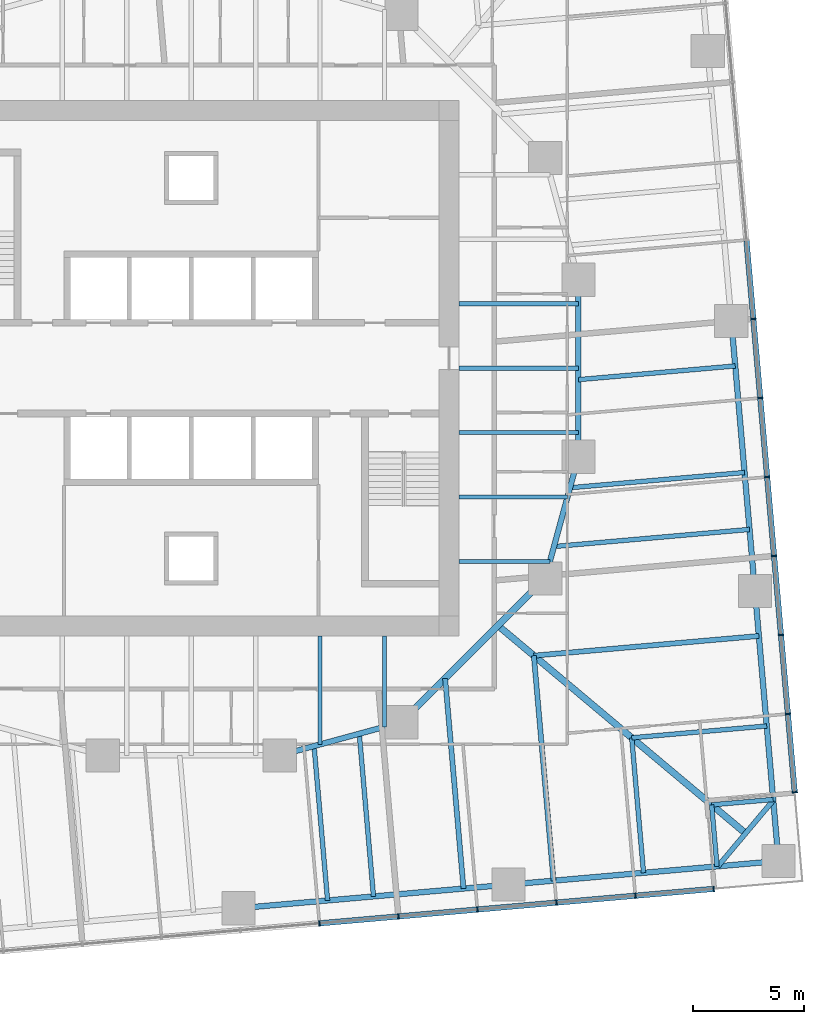
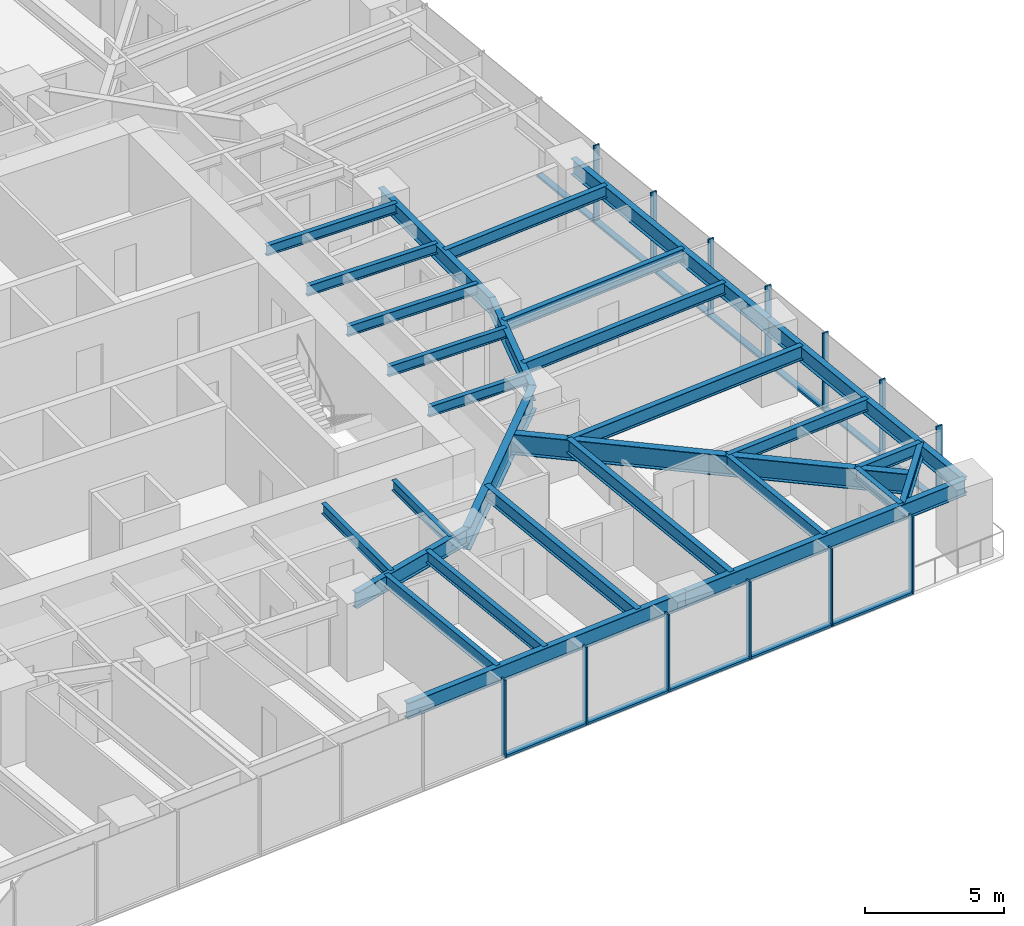
# One storey, part 4 of 14: 29 beams, 25 members, 2 elements without a shape of their own.
"""IFC4 building model written with IfcOpenShell, lengths in metres."""

from ifc_helpers import new_model, si_unit, direction, frame, origin, origin_2d, place, context, subcontext, project, spatial, rectangle, i_section, extrude, material, material_profile, profile_set, type_object, element, aggregate, save


model = new_model("IFC4")

# Units and contexts
model_context = context("Model", 3, precision=1e-05, world=origin(), true_north=direction((0.0, 1.0)))
body_context = subcontext(model_context, "Body", "Model", "MODEL_VIEW")
ifc_project = project(units=[si_unit("LENGTHUNIT", "METRE"), si_unit("AREAUNIT", "SQUARE_METRE"), si_unit("VOLUMEUNIT", "CUBIC_METRE"), si_unit("PLANEANGLEUNIT", "RADIAN"), si_unit("MASSUNIT", "GRAM", prefix="KILO")], contexts=[model_context])

# Site, building, storey
site_placement = place(None, origin())
site = spatial("IfcSite", under=ifc_project, at=site_placement, CompositionType="ELEMENT")
building_placement = place(site_placement, origin())
building = spatial("IfcBuilding", under=site, at=building_placement, Name="Torsade Residences", CompositionType="ELEMENT")
storey_placement = place(building_placement, frame((0.0, 0.0, 54.0)))
storey = spatial("IfcBuildingStorey", under=building, at=storey_placement, Name="L14", CompositionType="ELEMENT", Elevation=54.0)

# Beams
ifc_material_1 = material(Name="Steel grade 300", Category="steel")
ifc_material_profile_1 = material_profile(ifc_material_1, i_section(OverallWidth=0.300048828125, OverallDepth=0.89990234375, WebThickness=0.011962890625, FlangeThickness=0.02490234375, at=origin_2d()), Name="900WB175")
ifc_profile_set_1 = profile_set([ifc_material_profile_1], Name="Steel grade 300")
beam_type_1 = type_object("IfcBeamType", Name="CORNER GIRDER 900WB175", PredefinedType="BEAM", material=ifc_profile_set_1)
beam_1_placement = place(storey_placement, frame((65.052490234375, 8.978515625, 2.800048828125), z_axis=(-0.766046281307, 0.642785419012, 0.0), x_axis=(-0.642785419012, -0.766046281307, 0.0)))
element("IfcBeam", 1, at=beam_1_placement, inside=storey, type_object=beam_type_1, Name="Corner girder 05 L15", PredefinedType="BEAM", context=body_context, shape_type="SweptSolid", body=[
    extrude(i_section(OverallWidth=0.300048828125, OverallDepth=0.89990234375, WebThickness=0.011962890625, FlangeThickness=0.02490234375, at=origin_2d()), origin(), (0.0, 0.0, 1.0), 14.603515625),
])
ifc_material_2 = material(Name="Steel grade 300", Category="steel")
ifc_material_profile_2 = material_profile(ifc_material_2, i_section(OverallWidth=0.22802734375, OverallDepth=0.60205078125, WebThickness=0.010498046875, FlangeThickness=0.014892578125, FilletRadius=0.013916015625, at=origin_2d()), Name="610UB101")
ifc_profile_set_2 = profile_set([ifc_material_profile_2], Name="Steel grade 300")
beam_type_2 = type_object("IfcBeamType", Name="CORNER TRIMMER 610UB101", PredefinedType="BEAM", material=ifc_profile_set_2)
beam_2_placement = place(storey_placement, frame((66.302490234375, 10.468017578125, 2.948974609375), z_axis=(-0.642804819911, -0.766030001697, 0.0), x_axis=(0.766030001697, -0.642804819911, 0.0)))
element("IfcBeam", 2, at=beam_2_placement, inside=storey, type_object=beam_type_2, Name="Corner trimmer 05 L15", PredefinedType="BEAM", context=body_context, shape_type="SweptSolid", body=[
    extrude(i_section(OverallWidth=0.22802734375, OverallDepth=0.60205078125, WebThickness=0.010498046875, FlangeThickness=0.014892578125, FilletRadius=0.013916015625, at=origin_2d()), origin(), (0.0, 0.0, 1.0), 3.88916015625),
])

# Curtain wall, members
ifc_material_3 = material(Name="Aluminium and glass", Category="aluminium")
curtain_wall_type = type_object("IfcCurtainWallType", Name="FRITTED GLASS CURTAIN WALL LOW ZONE", PredefinedType="NOTDEFINED", material=ifc_material_3)
curtain_wall_1_placement = place(storey_placement, origin())
curtain_wall_1 = element("IfcCurtainWall", 3, at=curtain_wall_1_placement, inside=storey, type_object=curtain_wall_type, Name="Curtain wall L14 face 1", PredefinedType="NOTDEFINED")
ifc_material_4 = material(Name="Aluminium mullion", Category="aluminium")
ifc_material_profile_3 = material_profile(ifc_material_4, rectangle(XDim=0.25, YDim=0.06494140625, at=origin_2d()), Name="CURTAIN WALL MULLION 250x65")
ifc_profile_set_3 = profile_set([ifc_material_profile_3], Name="Aluminium mullion")
member_type_1 = type_object("IfcMemberType", Name="CURTAIN WALL MULLION 250x65", PredefinedType="MULLION", material=ifc_profile_set_3)
member_1_placement = place(storey_placement, frame((45.792236328125, 4.909423828125, 0.0), z_axis=(0.0, 0.0, 1.0), x_axis=(-0.087155744208, 0.996194697964, 0.0)))
member_1 = element("IfcMember", 4, at=member_1_placement, type_object=member_type_1, Name="Mullion 8", PredefinedType="MULLION", context=body_context, shape_type="SweptSolid", body=[
    extrude(rectangle(XDim=0.25, YDim=0.06494140625, at=origin_2d()), origin(), (0.0, 0.0, 1.0), 3.39990234375),
])
member_2_placement = place(storey_placement, frame((49.36181640625, 5.2216796875, 0.0), z_axis=(0.0, 0.0, 1.0), x_axis=(-0.087155744208, 0.996194697964, 0.0)))
member_2 = element("IfcMember", 5, at=member_2_placement, type_object=member_type_1, Name="Mullion 9", PredefinedType="MULLION", context=body_context, shape_type="SweptSolid", body=[
    extrude(rectangle(XDim=0.25, YDim=0.06494140625, at=origin_2d()), origin(), (0.0, 0.0, 1.0), 3.39990234375),
])
member_3_placement = place(storey_placement, frame((52.931640625, 5.533935546875, 0.0), z_axis=(0.0, 0.0, 1.0), x_axis=(-0.087155744208, 0.996194697964, 0.0)))
member_3 = element("IfcMember", 6, at=member_3_placement, type_object=member_type_1, Name="Mullion 10", PredefinedType="MULLION", context=body_context, shape_type="SweptSolid", body=[
    extrude(rectangle(XDim=0.25, YDim=0.06494140625, at=origin_2d()), origin(), (0.0, 0.0, 1.0), 3.39990234375),
])
member_4_placement = place(storey_placement, frame((56.501220703125, 5.84619140625, 0.0), z_axis=(0.0, 0.0, 1.0), x_axis=(-0.087155744208, 0.996194697964, 0.0)))
member_4 = element("IfcMember", 7, at=member_4_placement, type_object=member_type_1, Name="Mullion 11", PredefinedType="MULLION", context=body_context, shape_type="SweptSolid", body=[
    extrude(rectangle(XDim=0.25, YDim=0.06494140625, at=origin_2d()), origin(), (0.0, 0.0, 1.0), 3.39990234375),
])
member_5_placement = place(storey_placement, frame((60.071044921875, 6.15869140625, 0.0), z_axis=(0.0, 0.0, 1.0), x_axis=(-0.087155744208, 0.996194697964, 0.0)))
member_5 = element("IfcMember", 8, at=member_5_placement, type_object=member_type_1, Name="Mullion 12", PredefinedType="MULLION", context=body_context, shape_type="SweptSolid", body=[
    extrude(rectangle(XDim=0.25, YDim=0.06494140625, at=origin_2d()), origin(), (0.0, 0.0, 1.0), 3.39990234375),
])
member_6_placement = place(storey_placement, frame((63.6083984375, 6.468017578125, 0.0), z_axis=(0.0, 0.0, 1.0), x_axis=(-0.087155744208, 0.996194697964, 0.0)))
member_6 = element("IfcMember", 9, at=member_6_placement, type_object=member_type_1, Name="Mullion 13", PredefinedType="MULLION", context=body_context, shape_type="SweptSolid", body=[
    extrude(rectangle(XDim=0.25, YDim=0.06494140625, at=origin_2d()), origin(), (0.0, 0.0, 1.0), 3.39990234375),
])

curtain_wall_2_placement = place(storey_placement, origin())
curtain_wall_2 = element("IfcCurtainWall", 10, at=curtain_wall_2_placement, inside=storey, type_object=curtain_wall_type, Name="Curtain wall L14 face 4", PredefinedType="NOTDEFINED")
member_7_placement = place(storey_placement, frame((67.27392578125, 10.836669921875, 0.0), z_axis=(0.0, 0.0, 1.0), x_axis=(-0.996194697964, -0.087155744208, 0.0)))
member_7 = element("IfcMember", 11, at=member_7_placement, type_object=member_type_1, Name="Mullion 1", PredefinedType="MULLION", context=body_context, shape_type="SweptSolid", body=[
    extrude(rectangle(XDim=0.25, YDim=0.06494140625, at=origin_2d()), origin(), (0.0, 0.0, 1.0), 3.39990234375),
])
member_8_placement = place(storey_placement, frame((66.964599609375, 14.3740234375, 0.0), z_axis=(0.0, 0.0, 1.0), x_axis=(-0.996194697964, -0.087155744208, 0.0)))
member_8 = element("IfcMember", 12, at=member_8_placement, type_object=member_type_1, Name="Mullion 2", PredefinedType="MULLION", context=body_context, shape_type="SweptSolid", body=[
    extrude(rectangle(XDim=0.25, YDim=0.06494140625, at=origin_2d()), origin(), (0.0, 0.0, 1.0), 3.39990234375),
])
member_9_placement = place(storey_placement, frame((66.652099609375, 17.943603515625, 0.0), z_axis=(0.0, 0.0, 1.0), x_axis=(-0.996194697964, -0.087155744208, 0.0)))
member_9 = element("IfcMember", 13, at=member_9_placement, type_object=member_type_1, Name="Mullion 3", PredefinedType="MULLION", context=body_context, shape_type="SweptSolid", body=[
    extrude(rectangle(XDim=0.25, YDim=0.06494140625, at=origin_2d()), origin(), (0.0, 0.0, 1.0), 3.39990234375),
])
member_10_placement = place(storey_placement, frame((66.33984375, 21.513427734375, 0.0), z_axis=(0.0, 0.0, 1.0), x_axis=(-0.996194697964, -0.087155744208, 0.0)))
member_10 = element("IfcMember", 14, at=member_10_placement, type_object=member_type_1, Name="Mullion 4", PredefinedType="MULLION", context=body_context, shape_type="SweptSolid", body=[
    extrude(rectangle(XDim=0.25, YDim=0.06494140625, at=origin_2d()), origin(), (0.0, 0.0, 1.0), 3.39990234375),
])
member_11_placement = place(storey_placement, frame((66.027587890625, 25.0830078125, 0.0), z_axis=(0.0, 0.0, 1.0), x_axis=(-0.996194697964, -0.087155744208, 0.0)))
member_11 = element("IfcMember", 15, at=member_11_placement, type_object=member_type_1, Name="Mullion 5", PredefinedType="MULLION", context=body_context, shape_type="SweptSolid", body=[
    extrude(rectangle(XDim=0.25, YDim=0.06494140625, at=origin_2d()), origin(), (0.0, 0.0, 1.0), 3.39990234375),
])
member_12_placement = place(storey_placement, frame((65.71533203125, 28.65283203125, 0.0), z_axis=(0.0, 0.0, 1.0), x_axis=(-0.996194697964, -0.087155744208, 0.0)))
member_12 = element("IfcMember", 16, at=member_12_placement, type_object=member_type_1, Name="Mullion 6", PredefinedType="MULLION", context=body_context, shape_type="SweptSolid", body=[
    extrude(rectangle(XDim=0.25, YDim=0.06494140625, at=origin_2d()), origin(), (0.0, 0.0, 1.0), 3.39990234375),
])
member_13_placement = place(storey_placement, frame((65.403076171875, 32.222412109375, 0.0), z_axis=(0.0, 0.0, 1.0), x_axis=(-0.996194697964, -0.087155744208, 0.0)))
member_13 = element("IfcMember", 17, at=member_13_placement, type_object=member_type_1, Name="Mullion 7", PredefinedType="MULLION", context=body_context, shape_type="SweptSolid", body=[
    extrude(rectangle(XDim=0.25, YDim=0.06494140625, at=origin_2d()), origin(), (0.0, 0.0, 1.0), 3.39990234375),
])

# Member
ifc_material_5 = material(Name="Aluminium transom", Category="aluminium")
ifc_material_profile_4 = material_profile(ifc_material_5, rectangle(XDim=0.25, YDim=0.10009765625, at=origin_2d()), Name="CURTAIN WALL TRANSOM 250x100")
ifc_profile_set_4 = profile_set([ifc_material_profile_4], Name="Aluminium transom")
member_type_2 = type_object("IfcMemberType", Name="CURTAIN WALL TRANSOM 250x100", PredefinedType="USERDEFINED", material=ifc_profile_set_4)
member_14_placement = place(storey_placement, frame((45.824462890625, 4.912109375, 0.050048828125), z_axis=(0.996195148363, 0.08715059597, 0.0), x_axis=(-0.08715059597, 0.996195148363, 0.0)))
member_14 = element("IfcMember", 18, at=member_14_placement, type_object=member_type_2, Name="Transom 8.1", ObjectType="TRANSOM", PredefinedType="USERDEFINED", context=body_context, shape_type="SweptSolid", body=[
    extrude(rectangle(XDim=0.25, YDim=0.10009765625, at=origin_2d()), origin(), (0.0, 0.0, 1.0), 3.5185546875),
])

member_15_placement = place(storey_placement, frame((49.394287109375, 5.224365234375, 0.050048828125), z_axis=(0.996194621295, 0.087156620531, 0.0), x_axis=(-0.087156620531, 0.996194621295, 0.0)))
member_15 = element("IfcMember", 19, at=member_15_placement, type_object=member_type_2, Name="Transom 9.1", ObjectType="TRANSOM", PredefinedType="USERDEFINED", context=body_context, shape_type="SweptSolid", body=[
    extrude(rectangle(XDim=0.25, YDim=0.10009765625, at=origin_2d()), origin(), (0.0, 0.0, 1.0), 3.518310546875),
])

member_16_placement = place(storey_placement, frame((52.9638671875, 5.536865234375, 0.050048828125), z_axis=(0.996195148363, 0.08715059597, 0.0), x_axis=(-0.08715059597, 0.996195148363, 0.0)))
member_16 = element("IfcMember", 20, at=member_16_placement, type_object=member_type_2, Name="Transom 10.1", ObjectType="TRANSOM", PredefinedType="USERDEFINED", context=body_context, shape_type="SweptSolid", body=[
    extrude(rectangle(XDim=0.25, YDim=0.10009765625, at=origin_2d()), origin(), (0.0, 0.0, 1.0), 3.5185546875),
])

member_17_placement = place(storey_placement, frame((56.53369140625, 5.84912109375, 0.050048828125), z_axis=(0.996194621295, 0.087156620531, 0.0), x_axis=(-0.087156620531, 0.996194621295, 0.0)))
member_17 = element("IfcMember", 21, at=member_17_placement, type_object=member_type_2, Name="Transom 11.1", ObjectType="TRANSOM", PredefinedType="USERDEFINED", context=body_context, shape_type="SweptSolid", body=[
    extrude(rectangle(XDim=0.25, YDim=0.10009765625, at=origin_2d()), origin(), (0.0, 0.0, 1.0), 3.518310546875),
])

member_18_placement = place(storey_placement, frame((60.103271484375, 6.161376953125, 0.050048828125), z_axis=(0.996191284475, 0.08719475177, 0.0), x_axis=(-0.08719475177, 0.996191284475, 0.0)))
member_18 = element("IfcMember", 22, at=member_18_placement, type_object=member_type_2, Name="Transom 12.1", ObjectType="TRANSOM", PredefinedType="USERDEFINED", context=body_context, shape_type="SweptSolid", body=[
    extrude(rectangle(XDim=0.25, YDim=0.10009765625, at=origin_2d()), origin(), (0.0, 0.0, 1.0), 3.48583984375),
])

aggregate(curtain_wall_1, [member_1, member_2, member_3, member_4, member_5, member_6, member_14, member_15, member_16, member_17, member_18])

member_19_placement = place(storey_placement, frame((67.271240234375, 10.869140625, 0.050048828125), z_axis=(-0.0872008357, 0.996190751941, 0.0), x_axis=(-0.996190751941, -0.0872008357, 0.0)))
member_19 = element("IfcMember", 23, at=member_19_placement, type_object=member_type_2, Name="Transom 1.1", ObjectType="TRANSOM", PredefinedType="USERDEFINED", context=body_context, shape_type="SweptSolid", body=[
    extrude(rectangle(XDim=0.25, YDim=0.10009765625, at=origin_2d()), origin(), (0.0, 0.0, 1.0), 3.485595703125),
])

member_20_placement = place(storey_placement, frame((66.961669921875, 14.40625, 0.050048828125), z_axis=(-0.08715059597, 0.996195148363, 0.0), x_axis=(-0.996195148363, -0.08715059597, 0.0)))
member_20 = element("IfcMember", 24, at=member_20_placement, type_object=member_type_2, Name="Transom 2.1", ObjectType="TRANSOM", PredefinedType="USERDEFINED", context=body_context, shape_type="SweptSolid", body=[
    extrude(rectangle(XDim=0.25, YDim=0.10009765625, at=origin_2d()), origin(), (0.0, 0.0, 1.0), 3.5185546875),
])

member_21_placement = place(storey_placement, frame((66.6494140625, 17.97607421875, 0.050048828125), z_axis=(-0.087156620531, 0.996194621295, 0.0), x_axis=(-0.996194621295, -0.087156620531, 0.0)))
member_21 = element("IfcMember", 25, at=member_21_placement, type_object=member_type_2, Name="Transom 3.1", ObjectType="TRANSOM", PredefinedType="USERDEFINED", context=body_context, shape_type="SweptSolid", body=[
    extrude(rectangle(XDim=0.25, YDim=0.10009765625, at=origin_2d()), origin(), (0.0, 0.0, 1.0), 3.518310546875),
])

member_22_placement = place(storey_placement, frame((66.337158203125, 21.545654296875, 0.050048828125), z_axis=(-0.08715059597, 0.996195148363, 0.0), x_axis=(-0.996195148363, -0.08715059597, 0.0)))
member_22 = element("IfcMember", 26, at=member_22_placement, type_object=member_type_2, Name="Transom 4.1", ObjectType="TRANSOM", PredefinedType="USERDEFINED", context=body_context, shape_type="SweptSolid", body=[
    extrude(rectangle(XDim=0.25, YDim=0.10009765625, at=origin_2d()), origin(), (0.0, 0.0, 1.0), 3.5185546875),
])

member_23_placement = place(storey_placement, frame((66.024658203125, 25.115478515625, 0.050048828125), z_axis=(-0.087156620531, 0.996194621295, 0.0), x_axis=(-0.996194621295, -0.087156620531, 0.0)))
member_23 = element("IfcMember", 27, at=member_23_placement, type_object=member_type_2, Name="Transom 5.1", ObjectType="TRANSOM", PredefinedType="USERDEFINED", context=body_context, shape_type="SweptSolid", body=[
    extrude(rectangle(XDim=0.25, YDim=0.10009765625, at=origin_2d()), origin(), (0.0, 0.0, 1.0), 3.518310546875),
])

member_24_placement = place(storey_placement, frame((65.71240234375, 28.68505859375, 0.050048828125), z_axis=(-0.08715059597, 0.996195148363, 0.0), x_axis=(-0.996195148363, -0.08715059597, 0.0)))
member_24 = element("IfcMember", 28, at=member_24_placement, type_object=member_type_2, Name="Transom 6.1", ObjectType="TRANSOM", PredefinedType="USERDEFINED", context=body_context, shape_type="SweptSolid", body=[
    extrude(rectangle(XDim=0.25, YDim=0.10009765625, at=origin_2d()), origin(), (0.0, 0.0, 1.0), 3.5185546875),
])

member_25_placement = place(storey_placement, frame((65.400146484375, 32.2548828125, 0.050048828125), z_axis=(-0.087156620531, 0.996194621295, 0.0), x_axis=(-0.996194621295, -0.087156620531, 0.0)))
member_25 = element("IfcMember", 29, at=member_25_placement, type_object=member_type_2, Name="Transom 7.1", ObjectType="TRANSOM", PredefinedType="USERDEFINED", context=body_context, shape_type="SweptSolid", body=[
    extrude(rectangle(XDim=0.25, YDim=0.10009765625, at=origin_2d()), origin(), (0.0, 0.0, 1.0), 3.518310546875),
])

aggregate(curtain_wall_2, [member_7, member_8, member_9, member_10, member_11, member_12, member_13, member_19, member_20, member_21, member_22, member_23, member_24, member_25])

# Beams
ifc_material_6 = material(Name="Steel grade 300", Category="steel")
ifc_material_profile_5 = material_profile(ifc_material_6, i_section(OverallWidth=0.25, OverallDepth=0.699951171875, WebThickness=0.010009765625, FlangeThickness=0.02001953125, at=origin_2d()), Name="700WB130")
ifc_profile_set_5 = profile_set([ifc_material_profile_5], Name="Steel grade 300")
beam_type_3 = type_object("IfcBeamType", Name="EDGE BEAM 700WB130", PredefinedType="SPANDREL", material=ifc_profile_set_5)
for number, where, z_axis, x_axis, name in (
    (30, (42.13525390625, 5.59326171875, 2.89990234375), (0.996194907201, 0.08715335259, 0.0), (-0.08715335259, 0.996194907201, 0.0), "Edge beam 03 L15"),
    (31, (54.338623046875, 6.660888671875, 2.89990234375), (0.996194907201, 0.08715335259, 0.0), (-0.08715335259, 0.996194907201, 0.0), "Edge beam 04 L15"),
    (32, (66.5419921875, 7.728515625, 2.89990234375), (-0.08715335259, 0.996194907201, 0.0), (-0.996194907201, -0.08715335259, 0.0), "Edge beam 05 L15"),
    (33, (65.474365234375, 19.931884765625, 2.89990234375), (-0.08715335259, 0.996194907201, 0.0), (-0.996194907201, -0.08715335259, 0.0), "Edge beam 06 L15"),
):
    element("IfcBeam", number, at=place(storey_placement, frame(where, z_axis=z_axis, x_axis=x_axis)), inside=storey, type_object=beam_type_3, Name=name, PredefinedType="SPANDREL", context=body_context, shape_type="SweptSolid", body=[
        extrude(i_section(OverallWidth=0.25, OverallDepth=0.699951171875, WebThickness=0.010009765625, FlangeThickness=0.02001953125, at=origin_2d()), origin(), (0.0, 0.0, 1.0), 12.25),
    ])
ifc_material_7 = material(Name="Steel grade 300", Category="steel")
ifc_material_profile_6 = material_profile(ifc_material_7, i_section(OverallWidth=0.18994140625, OverallDepth=0.4541015625, WebThickness=0.008544921875, FlangeThickness=0.0126953125, FilletRadius=0.011474609375, at=origin_2d()), Name="460UB67.1")
ifc_profile_set_6 = profile_set([ifc_material_profile_6], Name="Steel grade 300")
beam_type_4 = type_object("IfcBeamType", Name="INNER FLOOR BEAM 460UB67.1", PredefinedType="JOIST", material=ifc_profile_set_6)
beam_3_placement = place(storey_placement, frame((48.737548828125, 17.89990234375, 3.02294921875), z_axis=(0.0, -1.0, 0.0), x_axis=(1.0, 0.0, 0.0)))
element("IfcBeam", 34, at=beam_3_placement, inside=storey, type_object=beam_type_4, Name="Inner floor beam IS01 L15", PredefinedType="JOIST", context=body_context, shape_type="SweptSolid", body=[
    extrude(i_section(OverallWidth=0.18994140625, OverallDepth=0.4541015625, WebThickness=0.008544921875, FlangeThickness=0.0126953125, FilletRadius=0.011474609375, at=origin_2d()), origin(), (0.0, 0.0, 1.0), 4.10791015625),
])
beam_4_placement = place(storey_placement, frame((45.824951171875, 17.89990234375, 3.02294921875), z_axis=(0.0, -1.0, 0.0), x_axis=(1.0, 0.0, 0.0)))
element("IfcBeam", 35, at=beam_4_placement, inside=storey, type_object=beam_type_4, Name="Inner floor beam IS02 L15", PredefinedType="JOIST", context=body_context, shape_type="SweptSolid", body=[
    extrude(i_section(OverallWidth=0.18994140625, OverallDepth=0.4541015625, WebThickness=0.008544921875, FlangeThickness=0.0126953125, FilletRadius=0.011474609375, at=origin_2d()), origin(), (0.0, 0.0, 1.0), 4.902099609375),
])
beam_5_placement = place(storey_placement, frame((52.10009765625, 21.262451171875, 3.02294921875), z_axis=(1.0, 0.0, 0.0), x_axis=(0.0, 1.0, 0.0)))
element("IfcBeam", 36, at=beam_5_placement, inside=storey, type_object=beam_type_4, Name="Inner floor beam IE01 L15", PredefinedType="JOIST", context=body_context, shape_type="SweptSolid", body=[
    extrude(i_section(OverallWidth=0.18994140625, OverallDepth=0.4541015625, WebThickness=0.008544921875, FlangeThickness=0.0126953125, FilletRadius=0.011474609375, at=origin_2d()), origin(), (0.0, 0.0, 1.0), 4.10791015625),
])
beam_6_placement = place(storey_placement, frame((52.10009765625, 24.175048828125, 3.02294921875), z_axis=(1.0, 0.0, 0.0), x_axis=(0.0, 1.0, 0.0)))
element("IfcBeam", 37, at=beam_6_placement, inside=storey, type_object=beam_type_4, Name="Inner floor beam IE02 L15", PredefinedType="JOIST", context=body_context, shape_type="SweptSolid", body=[
    extrude(i_section(OverallWidth=0.18994140625, OverallDepth=0.4541015625, WebThickness=0.008544921875, FlangeThickness=0.0126953125, FilletRadius=0.011474609375, at=origin_2d()), origin(), (0.0, 0.0, 1.0), 4.902099609375),
])
for number, where, z_axis, x_axis, name in (
    (38, (52.10009765625, 27.08740234375, 3.02294921875), (1.0, 0.0, 0.0), (0.0, 1.0, 0.0), "Inner floor beam IE03 L15"),
    (39, (52.10009765625, 30.0, 3.02294921875), (1.0, 0.0, 0.0), (0.0, 1.0, 0.0), "Inner floor beam IE04 L15"),
    (40, (52.10009765625, 32.91259765625, 3.02294921875), (1.0, 0.0, 0.0), (0.0, 1.0, 0.0), "Inner floor beam IE05 L15"),
):
    element("IfcBeam", number, at=place(storey_placement, frame(where, z_axis=z_axis, x_axis=x_axis)), inside=storey, type_object=beam_type_4, Name=name, PredefinedType="JOIST", context=body_context, shape_type="SweptSolid", body=[
        extrude(i_section(OverallWidth=0.18994140625, OverallDepth=0.4541015625, WebThickness=0.008544921875, FlangeThickness=0.0126953125, FilletRadius=0.011474609375, at=origin_2d()), origin(), (0.0, 0.0, 1.0), 5.39990234375),
    ])
ifc_material_8 = material(Name="Steel grade 300", Category="steel")
ifc_material_profile_7 = material_profile(ifc_material_8, i_section(OverallWidth=0.300048828125, OverallDepth=1.0, WebThickness=0.01611328125, FlangeThickness=0.028076171875, at=origin_2d()), Name="1000WB215")
ifc_profile_set_7 = profile_set([ifc_material_profile_7], Name="Steel grade 300")
beam_type_5 = type_object("IfcBeamType", Name="RING CORNER GIRDER 1000WB215", PredefinedType="BEAM", material=ifc_profile_set_7)
beam_7_placement = place(storey_placement, frame((49.5, 14.0, 2.75), z_axis=(0.707106781187, 0.707106781187, 0.0), x_axis=(-0.707106781187, 0.707106781187, 0.0)))
element("IfcBeam", 41, at=beam_7_placement, inside=storey, type_object=beam_type_5, Name="Ring girder IR15 L15", PredefinedType="BEAM", context=body_context, shape_type="SweptSolid", body=[
    extrude(i_section(OverallWidth=0.300048828125, OverallDepth=1.0, WebThickness=0.01611328125, FlangeThickness=0.028076171875, at=origin_2d()), origin(), (0.0, 0.0, 1.0), 9.1923828125),
])
ifc_material_9 = material(Name="Steel grade 300", Category="steel")
ifc_material_profile_8 = material_profile(ifc_material_9, i_section(OverallWidth=0.25, OverallDepth=0.699951171875, WebThickness=0.010009765625, FlangeThickness=0.02001953125, at=origin_2d()), Name="700WB130")
ifc_profile_set_8 = profile_set([ifc_material_profile_8], Name="Steel grade 300")
beam_type_6 = type_object("IfcBeamType", Name="RING GIRDER 700WB130", PredefinedType="BEAM", material=ifc_profile_set_8)
beam_8_placement = place(storey_placement, frame((57.5, 26.0, 2.89990234375), z_axis=(0.0, 1.0, 0.0), x_axis=(-1.0, 0.0, 0.0)))
element("IfcBeam", 42, at=beam_8_placement, inside=storey, type_object=beam_type_6, Name="Ring girder IR01 L15", PredefinedType="BEAM", context=body_context, shape_type="SweptSolid", body=[
    extrude(i_section(OverallWidth=0.25, OverallDepth=0.699951171875, WebThickness=0.010009765625, FlangeThickness=0.02001953125, at=origin_2d()), origin(), (0.0, 0.0, 1.0), 8.0),
])
for number, where, z_axis, x_axis, name in (
    (43, (44.0, 12.5, 2.89990234375), (0.964763821238, 0.263117405792, 0.0), (-0.263117405792, 0.964763821238, 0.0), "Ring girder IR14 L15"),
    (44, (56.0, 20.5, 2.89990234375), (0.263117405792, 0.964763821238, 0.0), (-0.964763821238, 0.263117405792, 0.0), "Ring girder IR16 L15"),
):
    element("IfcBeam", number, at=place(storey_placement, frame(where, z_axis=z_axis, x_axis=x_axis)), inside=storey, type_object=beam_type_6, Name=name, PredefinedType="BEAM", context=body_context, shape_type="SweptSolid", body=[
        extrude(i_section(OverallWidth=0.25, OverallDepth=0.699951171875, WebThickness=0.010009765625, FlangeThickness=0.02001953125, at=origin_2d()), origin(), (0.0, 0.0, 1.0), 5.700927734375),
    ])
ifc_material_10 = material(Name="Steel grade 300", Category="steel")
ifc_material_profile_9 = material_profile(ifc_material_10, i_section(OverallWidth=0.208984375, OverallDepth=0.528076171875, WebThickness=0.009521484375, FlangeThickness=0.01318359375, FilletRadius=0.013916015625, at=origin_2d()), Name="530UB82.0")
ifc_profile_set_9 = profile_set([ifc_material_profile_9], Name="Steel grade 300")
beam_type_7 = type_object("IfcBeamType", Name="SECONDARY BEAM 530UB82.0", PredefinedType="JOIST", material=ifc_profile_set_9)
beam_9_placement = place(storey_placement, frame((46.16162109375, 5.945556640625, 2.986083984375), z_axis=(-0.087175598142, 0.99619296077, 0.0), x_axis=(-0.99619296077, -0.087175598142, 0.0)))
element("IfcBeam", 45, at=beam_9_placement, inside=storey, type_object=beam_type_7, Name="Floor beam FS07 L15", PredefinedType="JOIST", context=body_context, shape_type="SweptSolid", body=[
    extrude(i_section(OverallWidth=0.208984375, OverallDepth=0.528076171875, WebThickness=0.009521484375, FlangeThickness=0.01318359375, FilletRadius=0.013916015625, at=origin_2d()), origin(), (0.0, 0.0, 1.0), 7.004150390625),
])
beam_10_placement = place(storey_placement, frame((48.237060546875, 6.126953125, 2.986083984375), z_axis=(-0.087156282128, 0.996194650902, 0.0), x_axis=(-0.996194650902, -0.087156282128, 0.0)))
element("IfcBeam", 46, at=beam_10_placement, inside=storey, type_object=beam_type_7, Name="Floor beam FS08 L15", PredefinedType="JOIST", context=body_context, shape_type="SweptSolid", body=[
    extrude(i_section(OverallWidth=0.208984375, OverallDepth=0.528076171875, WebThickness=0.009521484375, FlangeThickness=0.01318359375, FilletRadius=0.013916015625, at=origin_2d()), origin(), (0.0, 0.0, 1.0), 7.381103515625),
])
beam_11_placement = place(storey_placement, frame((60.4404296875, 7.19482421875, 2.986083984375), z_axis=(-0.087174861801, 0.996193025206, 0.0), x_axis=(-0.996193025206, -0.087174861801, 0.0)))
element("IfcBeam", 47, at=beam_11_placement, inside=storey, type_object=beam_type_7, Name="Floor beam FS11 L15", PredefinedType="JOIST", context=body_context, shape_type="SweptSolid", body=[
    extrude(i_section(OverallWidth=0.208984375, OverallDepth=0.528076171875, WebThickness=0.009521484375, FlangeThickness=0.01318359375, FilletRadius=0.013916015625, at=origin_2d()), origin(), (0.0, 0.0, 1.0), 6.125),
])
for number, where, z_axis, x_axis, name in (
    (48, (63.760986328125, 7.4853515625, 2.986083984375), (-0.087105111923, 0.996199126418, 0.0), (-0.996199126418, -0.087105111923, 0.0), "Floor beam FS12 L15"),
    (49, (66.298828125, 10.509521484375, 2.986083984375), (-0.996199126418, -0.087105111923, 0.0), (0.087105111923, -0.996199126418, 0.0), "Floor beam FE01 L15"),
):
    element("IfcBeam", number, at=place(storey_placement, frame(where, z_axis=z_axis, x_axis=x_axis)), inside=storey, type_object=beam_type_7, Name=name, PredefinedType="JOIST", context=body_context, shape_type="SweptSolid", body=[
        extrude(i_section(OverallWidth=0.208984375, OverallDepth=0.528076171875, WebThickness=0.009521484375, FlangeThickness=0.01318359375, FilletRadius=0.013916015625, at=origin_2d()), origin(), (0.0, 0.0, 1.0), 2.79150390625),
    ])
beam_12_placement = place(storey_placement, frame((66.00830078125, 13.830322265625, 2.986083984375), z_axis=(-0.996193328106, -0.087171400335, 0.0), x_axis=(0.087171400335, -0.996193328106, 0.0)))
element("IfcBeam", 50, at=beam_12_placement, inside=storey, type_object=beam_type_7, Name="Floor beam FE02 L15", PredefinedType="JOIST", context=body_context, shape_type="SweptSolid", body=[
    extrude(i_section(OverallWidth=0.208984375, OverallDepth=0.528076171875, WebThickness=0.009521484375, FlangeThickness=0.01318359375, FilletRadius=0.013916015625, at=origin_2d()), origin(), (0.0, 0.0, 1.0), 6.125244140625),
])
beam_13_placement = place(storey_placement, frame((65.231201171875, 22.712890625, 2.986083984375), z_axis=(-0.996195539225, -0.08714612802, 0.0), x_axis=(0.08714612802, -0.996195539225, 0.0)))
element("IfcBeam", 51, at=beam_13_placement, inside=storey, type_object=beam_type_7, Name="Floor beam FE04 L15", PredefinedType="JOIST", context=body_context, shape_type="SweptSolid", body=[
    extrude(i_section(OverallWidth=0.208984375, OverallDepth=0.528076171875, WebThickness=0.009521484375, FlangeThickness=0.01318359375, FilletRadius=0.013916015625, at=origin_2d()), origin(), (0.0, 0.0, 1.0), 8.872314453125),
])
beam_14_placement = place(storey_placement, frame((65.005859375, 25.286376953125, 2.986083984375), z_axis=(-0.996194520605, -0.087157771408, 0.0), x_axis=(0.087157771408, -0.996194520605, 0.0)))
element("IfcBeam", 52, at=beam_14_placement, inside=storey, type_object=beam_type_7, Name="Floor beam FE05 L15", PredefinedType="JOIST", context=body_context, shape_type="SweptSolid", body=[
    extrude(i_section(OverallWidth=0.208984375, OverallDepth=0.528076171875, WebThickness=0.009521484375, FlangeThickness=0.01318359375, FilletRadius=0.013916015625, at=origin_2d()), origin(), (0.0, 0.0, 1.0), 7.918701171875),
])
beam_15_placement = place(storey_placement, frame((64.584716796875, 30.101318359375, 2.986083984375), z_axis=(-0.996197182094, -0.087127345813, 0.0), x_axis=(0.087127345813, -0.996197182094, 0.0)))
element("IfcBeam", 53, at=beam_15_placement, inside=storey, type_object=beam_type_7, Name="Floor beam FE06 L15", PredefinedType="JOIST", context=body_context, shape_type="SweptSolid", body=[
    extrude(i_section(OverallWidth=0.208984375, OverallDepth=0.528076171875, WebThickness=0.009521484375, FlangeThickness=0.01318359375, FilletRadius=0.013916015625, at=origin_2d()), origin(), (0.0, 0.0, 1.0), 7.11181640625),
])
ifc_material_11 = material(Name="Steel grade 300", Category="steel")
ifc_material_profile_10 = material_profile(ifc_material_11, i_section(OverallWidth=0.22900390625, OverallDepth=0.612060546875, WebThickness=0.011962890625, FlangeThickness=0.01953125, FilletRadius=0.013916015625, at=origin_2d()), Name="610UB125")
ifc_profile_set_10 = profile_set([ifc_material_profile_10], Name="Steel grade 300")
beam_type_8 = type_object("IfcBeamType", Name="SECONDARY BEAM 610UB125", PredefinedType="JOIST", material=ifc_profile_set_10)
beam_16_placement = place(storey_placement, frame((52.3046875, 6.48291015625, 2.944091796875), z_axis=(-0.087148195942, 0.996195358323, 0.0), x_axis=(-0.996195358323, -0.087148195942, 0.0)))
element("IfcBeam", 54, at=beam_16_placement, inside=storey, type_object=beam_type_8, Name="Floor beam FS09 L15", PredefinedType="JOIST", context=body_context, shape_type="SweptSolid", body=[
    extrude(i_section(OverallWidth=0.22900390625, OverallDepth=0.612060546875, WebThickness=0.011962890625, FlangeThickness=0.01953125, FilletRadius=0.013916015625, at=origin_2d()), origin(), (0.0, 0.0, 1.0), 9.527587890625),
])
for number, where, z_axis, x_axis, name in (
    (55, (56.37255859375, 6.8388671875, 2.944091796875), (-0.087149742944, 0.996195222988, 0.0), (-0.996195222988, -0.087149742944, 0.0), "Floor beam FS10 L15"),
    (56, (65.65234375, 17.89794921875, 2.944091796875), (-0.996195222988, -0.087149742944, 0.0), (0.087149742944, -0.996195222988, 0.0), "Floor beam FE03 L15"),
):
    element("IfcBeam", number, at=place(storey_placement, frame(where, z_axis=z_axis, x_axis=x_axis)), inside=storey, type_object=beam_type_8, Name=name, PredefinedType="JOIST", context=body_context, shape_type="SweptSolid", body=[
        extrude(i_section(OverallWidth=0.22900390625, OverallDepth=0.612060546875, WebThickness=0.011962890625, FlangeThickness=0.01953125, FilletRadius=0.013916015625, at=origin_2d()), origin(), (0.0, 0.0, 1.0), 10.208251953125),
    ])

save(model, "model.ifc")
